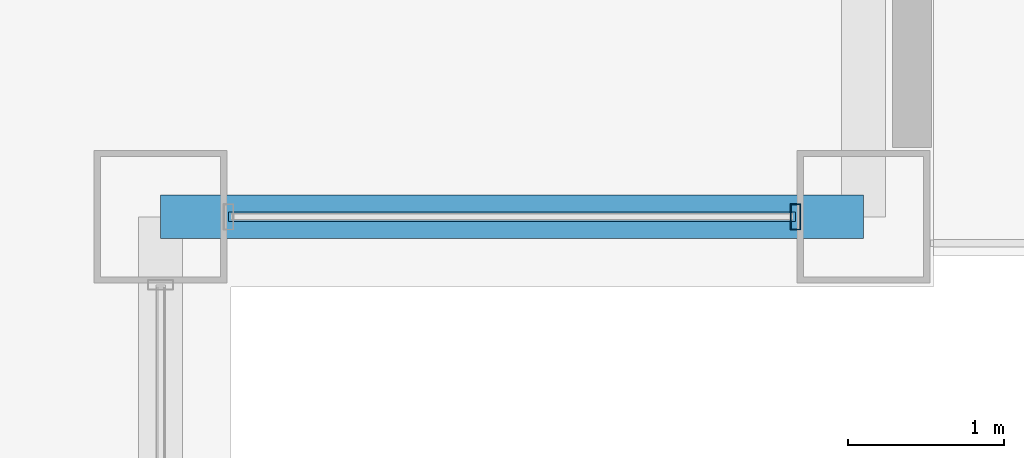
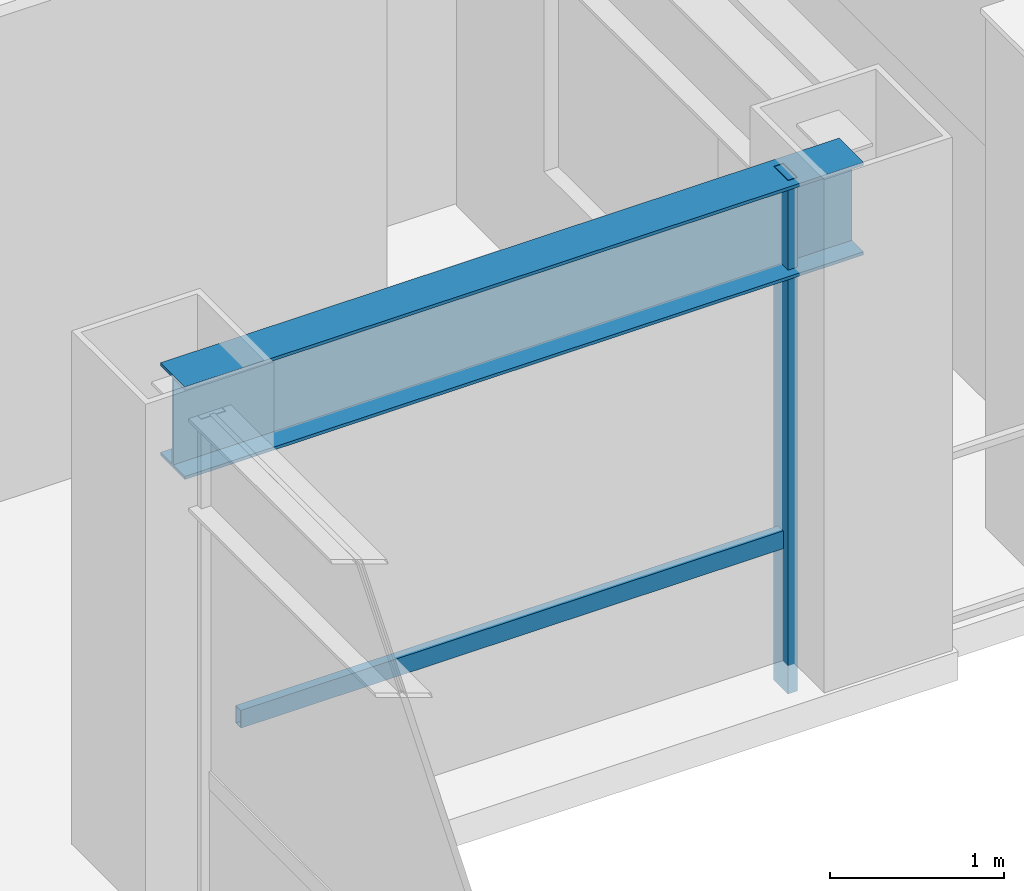
# One storey, part 12 of 32: 2 members, 1 beam, 1 element without a shape of its own.
"""IFC4 building model written with IfcOpenShell, lengths in metres."""

from ifc_helpers import new_model, si_unit, direction, frame, origin, origin_2d, place, context, subcontext, project, spatial, hollow_rectangle, i_section, extrude, material, layer, layer_set, material_profile, profile_set, type_object, element, aggregate, save


model = new_model("IFC4")

# Units and contexts
model_context = context("Model", 3, precision=1e-05, world=origin(), true_north=direction((0.0, 1.0)))
body_context = subcontext(model_context, "Body", "Model", "MODEL_VIEW")
ifc_project = project(units=[si_unit("LENGTHUNIT", "METRE"), si_unit("AREAUNIT", "SQUARE_METRE"), si_unit("VOLUMEUNIT", "CUBIC_METRE"), si_unit("PLANEANGLEUNIT", "RADIAN"), si_unit("MASSUNIT", "GRAM", prefix="KILO")], contexts=[model_context])

# Site, building, storey
site_placement = place(None, origin())
site = spatial("IfcSite", under=ifc_project, at=site_placement, CompositionType="ELEMENT")
building_placement = place(site_placement, origin())
building = spatial("IfcBuilding", under=site, at=building_placement, Name="Brelmoor Portico Tower", CompositionType="ELEMENT")
storey_placement = place(building_placement, frame((0.0, 0.0, 109.800048828125)))
storey = spatial("IfcBuildingStorey", under=building, at=storey_placement, Name="L28", CompositionType="ELEMENT", Elevation=109.800048828125)

# Beam
ifc_material_1 = material(Name="Steel Q355B", Category="steel")
ifc_material_profile_1 = material_profile(ifc_material_1, i_section(OverallWidth=0.280029296875, OverallDepth=0.64990234375, WebThickness=0.012939453125, FlangeThickness=0.02197265625, at=origin_2d()), Name="HN 650x280x13x22")
ifc_profile_set_1 = profile_set([ifc_material_profile_1], Name="Steel Q355B")
beam_type = type_object("IfcBeamType", Name="BM-SP-650", PredefinedType="SPANDREL", material=ifc_profile_set_1)
beam_placement = place(storey_placement, frame((18.050048828125, -15.050048828125, 3.074951171875), z_axis=(1.0, 0.0, 0.0), x_axis=(0.0, 1.0, 0.0)))
element("IfcBeam", 1, at=beam_placement, inside=storey, type_object=beam_type, Name="L28 Perimeter Spandrel Beam SP-07", PredefinedType="SPANDREL", context=body_context, shape_type="SweptSolid", body=[
    extrude(i_section(OverallWidth=0.280029296875, OverallDepth=0.64990234375, WebThickness=0.012939453125, FlangeThickness=0.02197265625, at=origin_2d()), origin(), (0.0, 0.0, 1.0), 4.5),
])

# Curtain wall, members
ifc_material_2 = material(Name="Anodised Aluminium Alloy 6063-T6", Category="aluminium")
ifc_layer = layer(ifc_material_2, 0.179931640625)
ifc_layer_set = layer_set([ifc_layer], Name="Anodised Aluminium Alloy 6063-T6")
curtain_wall_type = type_object("IfcCurtainWallType", Name="CW-NOTCH-CHAMFER", PredefinedType="NOTDEFINED", material=ifc_layer_set)
curtain_wall_placement = place(storey_placement, origin())
curtain_wall = element("IfcCurtainWall", 2, at=curtain_wall_placement, inside=storey, type_object=curtain_wall_type, Name="L28 Curtain Wall CWN-L28-SEH", PredefinedType="NOTDEFINED")
ifc_material_profile_2 = material_profile(ifc_material_2, hollow_rectangle(XDim=0.06494140625, YDim=0.1650390625, WallThickness=0.00390625, at=origin_2d()), Name="ALU MULLION 65x165")
ifc_profile_set_2 = profile_set([ifc_material_profile_2], Name="Anodised Aluminium Alloy 6063-T6")
member_type_1 = type_object("IfcMemberType", Name="MB-CW-MULL-165", PredefinedType="MULLION", material=ifc_profile_set_2)
member_1_placement = place(storey_placement, frame((22.114990234375, -15.050048828125, -0.199951171875), z_axis=(0.0, 0.0, 1.0), x_axis=(1.0, 0.0, 0.0)))
member_1 = element("IfcMember", 3, at=member_1_placement, type_object=member_type_1, Name="CWN-L28-SEH Mullion 01", PredefinedType="MULLION", context=body_context, shape_type="SweptSolid", body=[
    extrude(hollow_rectangle(XDim=0.06494140625, YDim=0.1650390625, WallThickness=0.00390625, at=origin_2d()), origin(), (0.0, 0.0, 1.0), 3.599853515625),
])
ifc_material_profile_3 = material_profile(ifc_material_2, hollow_rectangle(XDim=0.06005859375, YDim=0.125, WallThickness=0.00341796875, at=origin_2d()), Name="ALU TRANSOM 60x125")
ifc_profile_set_3 = profile_set([ifc_material_profile_3], Name="Anodised Aluminium Alloy 6063-T6")
member_type_2 = type_object("IfcMemberType", Name="MB-CW-TRAN-125", PredefinedType="USERDEFINED", material=ifc_profile_set_3)
member_2_placement = place(storey_placement, frame((18.485107421875, -15.050048828125, 0.849853515625), z_axis=(1.0, 0.0, 0.0), x_axis=(0.0, 1.0, 0.0)))
member_2 = element("IfcMember", 4, at=member_2_placement, type_object=member_type_2, Name="CWN-L28-SEH Transom 1-00", ObjectType="TRANSOM", PredefinedType="USERDEFINED", context=body_context, shape_type="SweptSolid", body=[
    extrude(hollow_rectangle(XDim=0.06005859375, YDim=0.125, WallThickness=0.00341796875, at=origin_2d()), origin(), (0.0, 0.0, 1.0), 3.6298828125),
])
aggregate(curtain_wall, [member_1, member_2])

save(model, "model.ifc")
